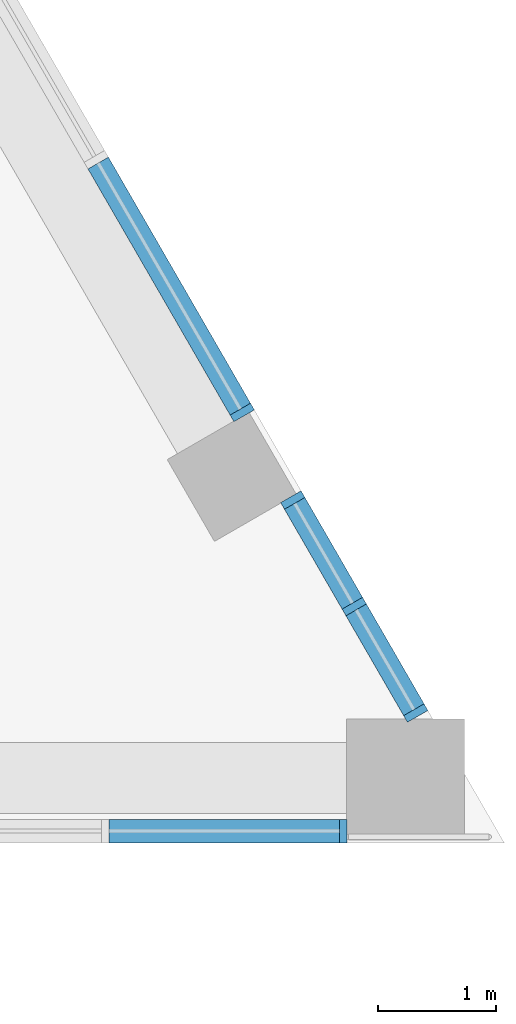
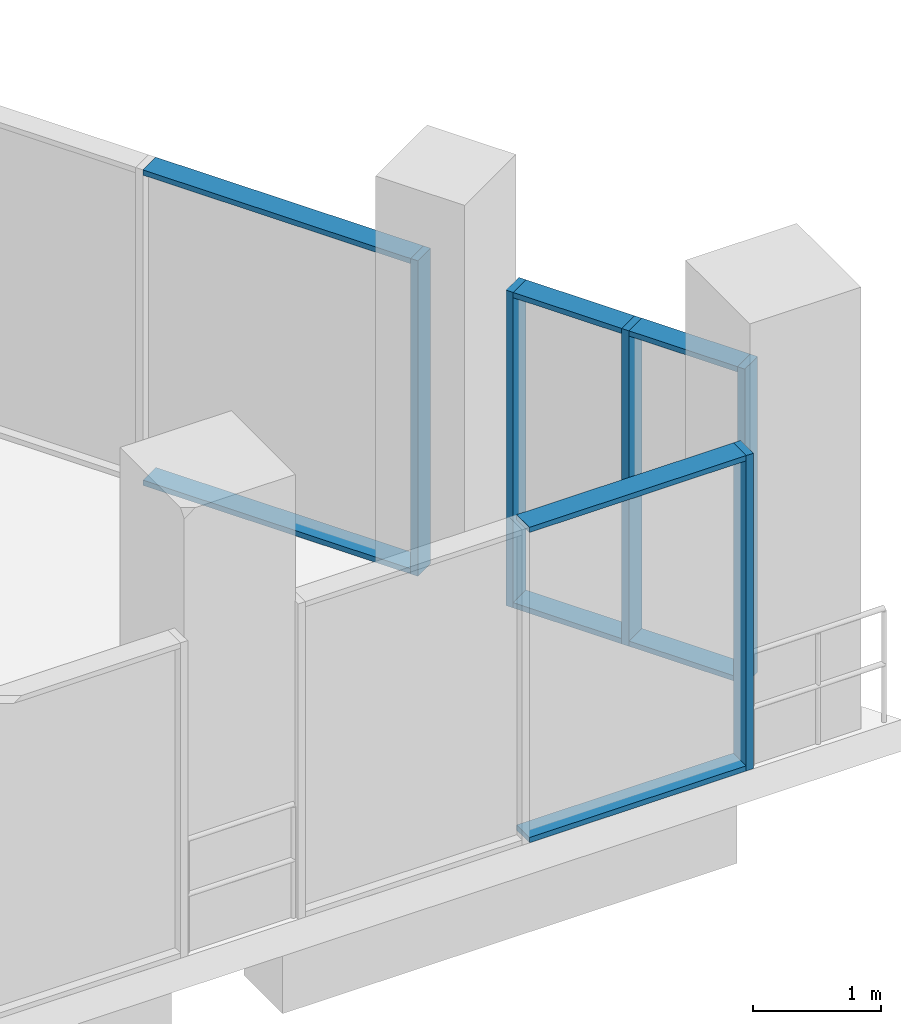
# One storey, part 7 of 45: 13 members, 3 elements without a shape of their own.
"""IFC4 building model written with IfcOpenShell, lengths in metres."""

from ifc_helpers import new_model, si_unit, direction, frame, origin, origin_2d, place, context, subcontext, project, spatial, rectangle, extrude, material, layer, layer_set, material_profile, profile_set, type_object, element, aggregate, save


model = new_model("IFC4")

# Units and contexts
model_context = context("Model", 3, precision=1e-05, world=origin(), true_north=direction((0.0, 1.0)))
body_context = subcontext(model_context, "Body", "Model", "MODEL_VIEW")
ifc_project = project(units=[si_unit("LENGTHUNIT", "METRE"), si_unit("AREAUNIT", "SQUARE_METRE"), si_unit("VOLUMEUNIT", "CUBIC_METRE"), si_unit("PLANEANGLEUNIT", "RADIAN"), si_unit("MASSUNIT", "GRAM", prefix="KILO")], contexts=[model_context])

# Site, building, storey
site_placement = place(None, origin())
site = spatial("IfcSite", under=ifc_project, at=site_placement, CompositionType="ELEMENT")
building_placement = place(site_placement, origin())
building = spatial("IfcBuilding", under=site, at=building_placement, Name="Nakaniwa Court", CompositionType="ELEMENT")
storey_placement = place(building_placement, frame((0.0, 0.0, 11.39990234375)))
storey = spatial("IfcBuildingStorey", under=building, at=storey_placement, Name="L02", CompositionType="ELEMENT", Elevation=11.39990234375)

# Curtain wall, member
ifc_material_1 = material(Name="Black anodised aluminium frame with dark low-E laminated double glazing", Category="aluminium")
ifc_layer = layer(ifc_material_1, 0.199951171875)
ifc_layer_set = layer_set([ifc_layer], Name="Black anodised aluminium frame with dark low-E laminated double glazing")
curtain_wall_type = type_object("IfcCurtainWallType", Name="Podium unitised curtain wall", PredefinedType="NOTDEFINED", material=ifc_layer_set)
curtain_wall_1_placement = place(storey_placement, origin())
curtain_wall_1 = element("IfcCurtainWall", 1, at=curtain_wall_1_placement, inside=storey, type_object=curtain_wall_type, Name="L02 curtain wall CW1 38", PredefinedType="NOTDEFINED")
ifc_material_2 = material(Name="Black anodised aluminium extrusion", Category="aluminium")
ifc_material_profile_1 = material_profile(ifc_material_2, rectangle(XDim=0.199951171875, YDim=0.06494140625, at=origin_2d()), Name="Podium unitised curtain wall mullion 65x200")
ifc_profile_set_1 = profile_set([ifc_material_profile_1], Name="Black anodised aluminium extrusion")
member_type_1 = type_object("IfcMemberType", Name="Podium unitised curtain wall mullion 65x200", PredefinedType="MULLION", material=ifc_profile_set_1)
member_1_placement = place(storey_placement, frame((112.467529296875, 87.5, 0.0), z_axis=(0.0, 0.0, 1.0), x_axis=(0.0, 1.0, 0.0)))
member_1 = element("IfcMember", 2, at=member_1_placement, type_object=member_type_1, Name="CW1 mullion 3", PredefinedType="MULLION", context=body_context, shape_type="SweptSolid", body=[
    extrude(rectangle(XDim=0.199951171875, YDim=0.06494140625, at=origin_2d()), origin(), (0.0, 0.0, 1.0), 3.0),
])

# Curtain wall, members
curtain_wall_2_placement = place(storey_placement, origin())
curtain_wall_2 = element("IfcCurtainWall", 3, at=curtain_wall_2_placement, inside=storey, type_object=curtain_wall_type, Name="L02 curtain wall CW1 39", PredefinedType="NOTDEFINED")
member_2_placement = place(storey_placement, frame((113.082275390625, 88.499755859375, 0.0), z_axis=(0.0, 0.0, 1.0), x_axis=(-0.866035247422, -0.499982949932, 0.0)))
member_2 = element("IfcMember", 4, at=member_2_placement, type_object=member_type_1, Name="CW1 mullion 1", PredefinedType="MULLION", context=body_context, shape_type="SweptSolid", body=[
    extrude(rectangle(XDim=0.199951171875, YDim=0.06494140625, at=origin_2d()), origin(), (0.0, 0.0, 1.0), 3.0),
])
member_3_placement = place(storey_placement, frame((112.561279296875, 89.402099609375, 0.0), z_axis=(0.0, 0.0, 1.0), x_axis=(-0.866035247422, -0.499982949932, 0.0)))
member_3 = element("IfcMember", 5, at=member_3_placement, type_object=member_type_1, Name="CW1 mullion 2", PredefinedType="MULLION", context=body_context, shape_type="SweptSolid", body=[
    extrude(rectangle(XDim=0.199951171875, YDim=0.06494140625, at=origin_2d()), origin(), (0.0, 0.0, 1.0), 3.0),
])
member_4_placement = place(storey_placement, frame((112.04052734375, 90.304443359375, 0.0), z_axis=(0.0, 0.0, 1.0), x_axis=(-0.866035247422, -0.499982949932, 0.0)))
member_4 = element("IfcMember", 6, at=member_4_placement, type_object=member_type_1, Name="CW1 mullion 3", PredefinedType="MULLION", context=body_context, shape_type="SweptSolid", body=[
    extrude(rectangle(XDim=0.199951171875, YDim=0.06494140625, at=origin_2d()), origin(), (0.0, 0.0, 1.0), 3.0),
])

# Curtain wall, member
curtain_wall_3_placement = place(storey_placement, origin())
curtain_wall_3 = element("IfcCurtainWall", 7, at=curtain_wall_3_placement, inside=storey, type_object=curtain_wall_type, Name="L02 curtain wall CW1 40", PredefinedType="NOTDEFINED")
member_5_placement = place(storey_placement, frame((111.612060546875, 91.04638671875, 0.0), z_axis=(0.0, 0.0, 1.0), x_axis=(-0.866032365426, -0.499987941889, 0.0)))
member_5 = element("IfcMember", 8, at=member_5_placement, type_object=member_type_1, Name="CW1 mullion 1", PredefinedType="MULLION", context=body_context, shape_type="SweptSolid", body=[
    extrude(rectangle(XDim=0.199951171875, YDim=0.06494140625, at=origin_2d()), origin(), (0.0, 0.0, 1.0), 3.0),
])

# Member
ifc_material_profile_2 = material_profile(ifc_material_2, rectangle(XDim=0.199951171875, YDim=0.050048828125, at=origin_2d()), Name="Podium unitised curtain wall transom 50x200")
ifc_profile_set_2 = profile_set([ifc_material_profile_2], Name="Black anodised aluminium extrusion")
member_type_2 = type_object("IfcMemberType", Name="Podium unitised curtain wall transom 50x200", PredefinedType="USERDEFINED", material=ifc_profile_set_2)
member_6_placement = place(storey_placement, frame((110.485107421875, 87.5, 0.025146484375), z_axis=(1.0, 0.0, 0.0), x_axis=(0.0, 1.0, 0.0)))
member_6 = element("IfcMember", 9, at=member_6_placement, type_object=member_type_2, Name="CW1 transom 2.1", ObjectType="TRANSOM", PredefinedType="USERDEFINED", context=body_context, shape_type="SweptSolid", body=[
    extrude(rectangle(XDim=0.199951171875, YDim=0.050048828125, at=origin_2d()), origin(), (0.0, 0.0, 1.0), 1.949951171875),
])

member_7_placement = place(storey_placement, frame((110.485107421875, 87.5, 2.97509765625), z_axis=(1.0, 0.0, 0.0), x_axis=(0.0, 1.0, 0.0)))
member_7 = element("IfcMember", 10, at=member_7_placement, type_object=member_type_2, Name="CW1 transom 2.2", ObjectType="TRANSOM", PredefinedType="USERDEFINED", context=body_context, shape_type="SweptSolid", body=[
    extrude(rectangle(XDim=0.199951171875, YDim=0.050048828125, at=origin_2d()), origin(), (0.0, 0.0, 1.0), 1.949951171875),
])

aggregate(curtain_wall_1, [member_1, member_6, member_7])

member_8_placement = place(storey_placement, frame((113.066162109375, 88.52783203125, 0.025146484375), z_axis=(-0.500090215447, 0.865973311606, 0.0), x_axis=(-0.865973311606, -0.500090215447, 0.0)))
member_8 = element("IfcMember", 11, at=member_8_placement, type_object=member_type_2, Name="CW1 transom 1.1", ObjectType="TRANSOM", PredefinedType="USERDEFINED", context=body_context, shape_type="SweptSolid", body=[
    extrude(rectangle(XDim=0.199951171875, YDim=0.050048828125, at=origin_2d()), origin(), (0.0, 0.0, 1.0), 0.976806640625),
])

member_9_placement = place(storey_placement, frame((113.066162109375, 88.52783203125, 2.97509765625), z_axis=(-0.500090215447, 0.865973311606, 0.0), x_axis=(-0.865973311606, -0.500090215447, 0.0)))
member_9 = element("IfcMember", 12, at=member_9_placement, type_object=member_type_2, Name="CW1 transom 1.2", ObjectType="TRANSOM", PredefinedType="USERDEFINED", context=body_context, shape_type="SweptSolid", body=[
    extrude(rectangle(XDim=0.199951171875, YDim=0.050048828125, at=origin_2d()), origin(), (0.0, 0.0, 1.0), 0.976806640625),
])

member_10_placement = place(storey_placement, frame((112.545166015625, 89.43017578125, 0.025146484375), z_axis=(-0.500090215447, 0.865973311606, 0.0), x_axis=(-0.865973311606, -0.500090215447, 0.0)))
member_10 = element("IfcMember", 13, at=member_10_placement, type_object=member_type_2, Name="CW1 transom 2.1", ObjectType="TRANSOM", PredefinedType="USERDEFINED", context=body_context, shape_type="SweptSolid", body=[
    extrude(rectangle(XDim=0.199951171875, YDim=0.050048828125, at=origin_2d()), origin(), (0.0, 0.0, 1.0), 0.976806640625),
])

member_11_placement = place(storey_placement, frame((112.545166015625, 89.43017578125, 2.97509765625), z_axis=(-0.500090215447, 0.865973311606, 0.0), x_axis=(-0.865973311606, -0.500090215447, 0.0)))
member_11 = element("IfcMember", 14, at=member_11_placement, type_object=member_type_2, Name="CW1 transom 2.2", ObjectType="TRANSOM", PredefinedType="USERDEFINED", context=body_context, shape_type="SweptSolid", body=[
    extrude(rectangle(XDim=0.199951171875, YDim=0.050048828125, at=origin_2d()), origin(), (0.0, 0.0, 1.0), 0.976806640625),
])

aggregate(curtain_wall_2, [member_2, member_3, member_4, member_8, member_9, member_10, member_11])

member_12_placement = place(storey_placement, frame((111.595703125, 91.07470703125, 0.025146484375), z_axis=(-0.50003260427, 0.866006578882, 0.0), x_axis=(-0.866006578882, -0.50003260427, 0.0)))
member_12 = element("IfcMember", 15, at=member_12_placement, type_object=member_type_2, Name="CW1 transom 1.1", ObjectType="TRANSOM", PredefinedType="USERDEFINED", context=body_context, shape_type="SweptSolid", body=[
    extrude(rectangle(XDim=0.199951171875, YDim=0.050048828125, at=origin_2d()), origin(), (0.0, 0.0, 1.0), 2.407470703125),
])

member_13_placement = place(storey_placement, frame((111.595703125, 91.07470703125, 2.97509765625), z_axis=(-0.50003260427, 0.866006578882, 0.0), x_axis=(-0.866006578882, -0.50003260427, 0.0)))
member_13 = element("IfcMember", 16, at=member_13_placement, type_object=member_type_2, Name="CW1 transom 1.2", ObjectType="TRANSOM", PredefinedType="USERDEFINED", context=body_context, shape_type="SweptSolid", body=[
    extrude(rectangle(XDim=0.199951171875, YDim=0.050048828125, at=origin_2d()), origin(), (0.0, 0.0, 1.0), 2.407470703125),
])

aggregate(curtain_wall_3, [member_5, member_12, member_13])

save(model, "model.ifc")
